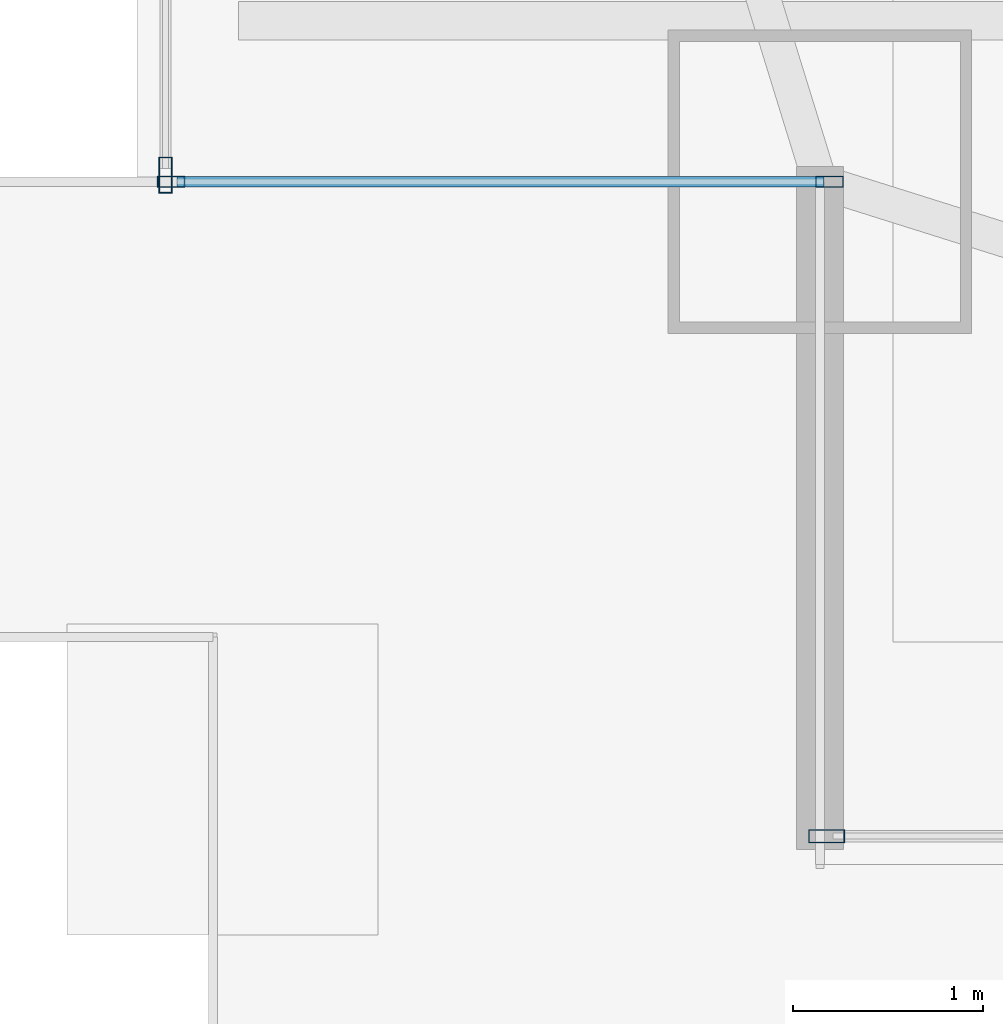
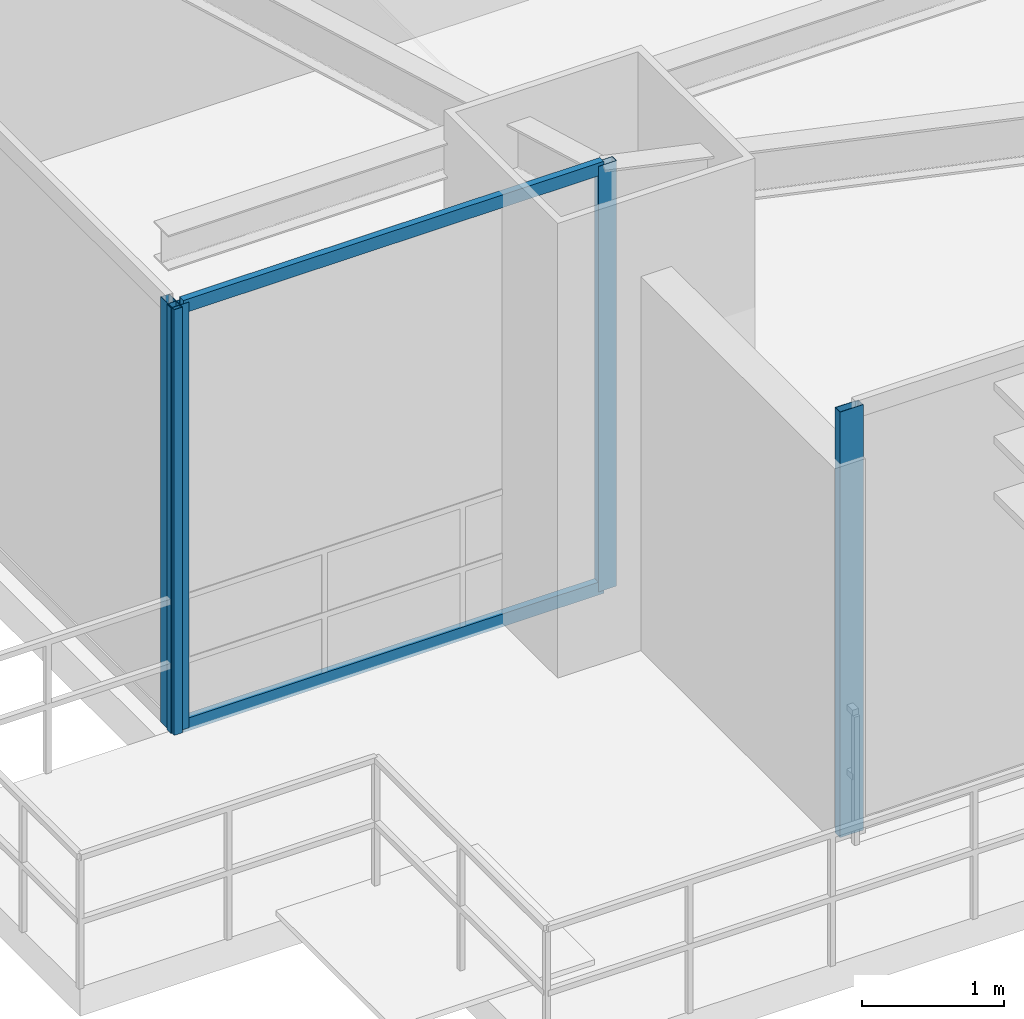
# One storey, part 3 of 34: 6 members, 3 elements without a shape of their own.
"""IFC4 building model written with IfcOpenShell, lengths in metres."""

from ifc_helpers import new_model, si_unit, direction, frame, origin, origin_2d, place, context, subcontext, project, spatial, hollow_rectangle, extrude, source, transform, mapped, material, layer, layer_set, material_profile, profile_set, type_object, type_shapes, element, aggregate, save


model = new_model("IFC4")

# Units and contexts
model_context = context("Model", 3, precision=1e-05, world=origin(), true_north=direction((0.0, 1.0)))
body_context = subcontext(model_context, "Body", "Model", "MODEL_VIEW")
ifc_project = project(units=[si_unit("LENGTHUNIT", "METRE"), si_unit("AREAUNIT", "SQUARE_METRE"), si_unit("VOLUMEUNIT", "CUBIC_METRE"), si_unit("PLANEANGLEUNIT", "RADIAN"), si_unit("MASSUNIT", "GRAM", prefix="KILO")], contexts=[model_context])

# Site, building, storey
site_placement = place(None, origin())
site = spatial("IfcSite", under=ifc_project, at=site_placement, CompositionType="ELEMENT")
building_placement = place(site_placement, origin())
building = spatial("IfcBuilding", under=site, at=building_placement, Name="Varnel Quay Broadcast Tower", CompositionType="ELEMENT")
storey_placement = place(building_placement, frame((0.0, 0.0, 27.60009765625)))
storey = spatial("IfcBuildingStorey", under=building, at=storey_placement, Name="L05", CompositionType="ELEMENT", Elevation=27.60009765625)

# Curtain wall, member
ifc_material = material(Name="Anodised Bronze Aluminium 6063-T6", Category="aluminium")
ifc_layer_1 = layer(ifc_material, 0.18994140625, Name="Anodised Bronze Aluminium 6063-T6")
ifc_layer_set_1 = layer_set([ifc_layer_1], Name="Anodised Bronze Aluminium 6063-T6")
curtain_wall_type_1 = type_object("IfcCurtainWallType", Name="CW_LowerTower", PredefinedType="NOTDEFINED", material=ifc_layer_set_1)
curtain_wall_1_placement = place(storey_placement, origin())
curtain_wall_1 = element("IfcCurtainWall", 1, at=curtain_wall_1_placement, inside=storey, type_object=curtain_wall_type_1, Name="L05 South Unitised Curtain Wall 1", PredefinedType="NOTDEFINED")
ifc_material_profile_1 = material_profile(ifc_material, hollow_rectangle(XDim=0.070068359375, YDim=0.18994140625, WallThickness=0.00390625, at=origin_2d()), Name="ALU70X190X4")
ifc_profile_set_1 = profile_set([ifc_material_profile_1], Name="Anodised Bronze Aluminium 6063-T6")
member_type_1 = type_object("IfcMemberType", Name="Mull_CWS-02", PredefinedType="MULLION", material=ifc_profile_set_1)
shared_shape_1 = source(origin(), body_context, "Body", "SweptSolid", [
    extrude(hollow_rectangle(XDim=0.070068359375, YDim=0.18994140625, WallThickness=0.00390625, at=origin_2d()), origin(), (0.0, 0.0, 1.0), 3.64990234375),
])
type_shapes(member_type_1, [shared_shape_1])
member_1_placement = place(storey_placement, frame((5.635009765625, 1.35009765625, 0.0), z_axis=(0.0, 0.0, 1.0), x_axis=(0.0, 1.0, 0.0)))
member_1 = element("IfcMember", 2, at=member_1_placement, type_object=member_type_1, Name="CWS-02 mullion 1", PredefinedType="MULLION", context=body_context, shape_type="MappedRepresentation", body=[
    mapped(shared_shape_1, transform((0.0, 0.0, 0.0), x_axis=(1.0, 0.0, 0.0), y_axis=(0.0, 1.0, 0.0), z_axis=(0.0, 0.0, 1.0), scale=1.0)),
])
aggregate(curtain_wall_1, [member_1])

curtain_wall_2_placement = place(storey_placement, origin())
curtain_wall_2 = element("IfcCurtainWall", 3, at=curtain_wall_2_placement, inside=storey, type_object=curtain_wall_type_1, Name="L05 West Unitised Curtain Wall", PredefinedType="NOTDEFINED")
member_2_placement = place(storey_placement, frame((2.14990234375, 4.8349609375, 0.0), z_axis=(0.0, 0.0, 1.0), x_axis=(-1.0, 0.0, 0.0)))
member_2 = element("IfcMember", 4, at=member_2_placement, type_object=member_type_1, Name="CWS-02 mullion 1", PredefinedType="MULLION", context=body_context, shape_type="MappedRepresentation", body=[
    mapped(shared_shape_1, transform((0.0, 0.0, 0.0), x_axis=(1.0, 0.0, 0.0), y_axis=(0.0, 1.0, 0.0), z_axis=(0.0, 0.0, 1.0), scale=1.0)),
])
aggregate(curtain_wall_2, [member_2])

# Curtain wall, members
ifc_layer_2 = layer(ifc_material, 0.18994140625, Name="Anodised Bronze Aluminium 6063-T6")
ifc_layer_set_2 = layer_set([ifc_layer_2], Name="Anodised Bronze Aluminium 6063-T6")
curtain_wall_type_2 = type_object("IfcCurtainWallType", Name="CW_NotchCorner", PredefinedType="NOTDEFINED", material=ifc_layer_set_2)
curtain_wall_3_placement = place(storey_placement, origin())
curtain_wall_3 = element("IfcCurtainWall", 5, at=curtain_wall_3_placement, inside=storey, type_object=curtain_wall_type_2, Name="L05 SW Notch Curtain Wall", PredefinedType="NOTDEFINED")
ifc_material_profile_2 = material_profile(ifc_material, hollow_rectangle(XDim=0.06005859375, YDim=0.14501953125, WallThickness=0.00341796875, at=origin_2d()), Name="ALU60X145X3.5")
ifc_profile_set_2 = profile_set([ifc_material_profile_2], Name="Anodised Bronze Aluminium 6063-T6")
member_type_2 = type_object("IfcMemberType", Name="Mull_CWS-04", PredefinedType="MULLION", material=ifc_profile_set_2)
shared_shape_2 = source(origin(), body_context, "Body", "SweptSolid", [
    extrude(hollow_rectangle(XDim=0.06005859375, YDim=0.14501953125, WallThickness=0.00341796875, at=origin_2d()), origin(), (0.0, 0.0, 1.0), 3.64990234375),
])
type_shapes(member_type_2, [shared_shape_2])
member_3_placement = place(storey_placement, frame((2.179931640625, 4.800048828125, 0.0), z_axis=(0.0, 0.0, 1.0), x_axis=(0.0, 1.0, 0.0)))
member_3 = element("IfcMember", 6, at=member_3_placement, type_object=member_type_2, Name="CWS-04 mullion 1", PredefinedType="MULLION", context=body_context, shape_type="MappedRepresentation", body=[
    mapped(shared_shape_2, transform((0.0, 0.0, 0.0), x_axis=(1.0, 0.0, 0.0), y_axis=(0.0, 1.0, 0.0), z_axis=(0.0, 0.0, 1.0), scale=1.0)),
])
member_4_placement = place(storey_placement, frame((5.64990234375, 4.800048828125, 0.0), z_axis=(0.0, 0.0, 1.0), x_axis=(0.0, 1.0, 0.0)))
member_4 = element("IfcMember", 7, at=member_4_placement, type_object=member_type_2, Name="CWS-04 mullion 2", PredefinedType="MULLION", context=body_context, shape_type="MappedRepresentation", body=[
    mapped(shared_shape_2, transform((0.0, 0.0, 0.0), x_axis=(1.0, 0.0, 0.0), y_axis=(0.0, 1.0, 0.0), z_axis=(0.0, 0.0, 1.0), scale=1.0)),
])
ifc_material_profile_3 = material_profile(ifc_material, hollow_rectangle(XDim=0.054931640625, YDim=0.110107421875, WallThickness=0.0029296875, at=origin_2d()), Name="ALU55X110X3")
ifc_profile_set_3 = profile_set([ifc_material_profile_3], Name="Anodised Bronze Aluminium 6063-T6")
member_type_3 = type_object("IfcMemberType", Name="Tran_CWS-04", PredefinedType="USERDEFINED", material=ifc_profile_set_3)
shared_shape_3 = source(origin(), body_context, "Body", "SweptSolid", [
    extrude(hollow_rectangle(XDim=0.054931640625, YDim=0.110107421875, WallThickness=0.0029296875, at=origin_2d()), origin(), (0.0, 0.0, 1.0), 3.41015625),
])
type_shapes(member_type_3, [shared_shape_3])
member_5_placement = place(storey_placement, frame((2.2099609375, 4.800048828125, 0.02734375), z_axis=(1.0, 0.0, 0.0), x_axis=(0.0, 1.0, 0.0)))
member_5 = element("IfcMember", 8, at=member_5_placement, type_object=member_type_3, Name="CWS-04 transom 1.1", ObjectType="TRANSOM", PredefinedType="USERDEFINED", context=body_context, shape_type="MappedRepresentation", body=[
    mapped(shared_shape_3, transform((0.0, 0.0, 0.0), x_axis=(1.0, 0.0, 0.0), y_axis=(0.0, 1.0, 0.0), z_axis=(0.0, 0.0, 1.0), scale=1.0)),
])
member_6_placement = place(storey_placement, frame((2.2099609375, 4.800048828125, 3.622314453125), z_axis=(1.0, 0.0, 0.0), x_axis=(0.0, 1.0, 0.0)))
member_6 = element("IfcMember", 9, at=member_6_placement, type_object=member_type_3, Name="CWS-04 transom 1.2", ObjectType="TRANSOM", PredefinedType="USERDEFINED", context=body_context, shape_type="MappedRepresentation", body=[
    mapped(shared_shape_3, transform((0.0, 0.0, 0.0), x_axis=(1.0, 0.0, 0.0), y_axis=(0.0, 1.0, 0.0), z_axis=(0.0, 0.0, 1.0), scale=1.0)),
])
aggregate(curtain_wall_3, [member_3, member_4, member_5, member_6])

save(model, "model.ifc")
